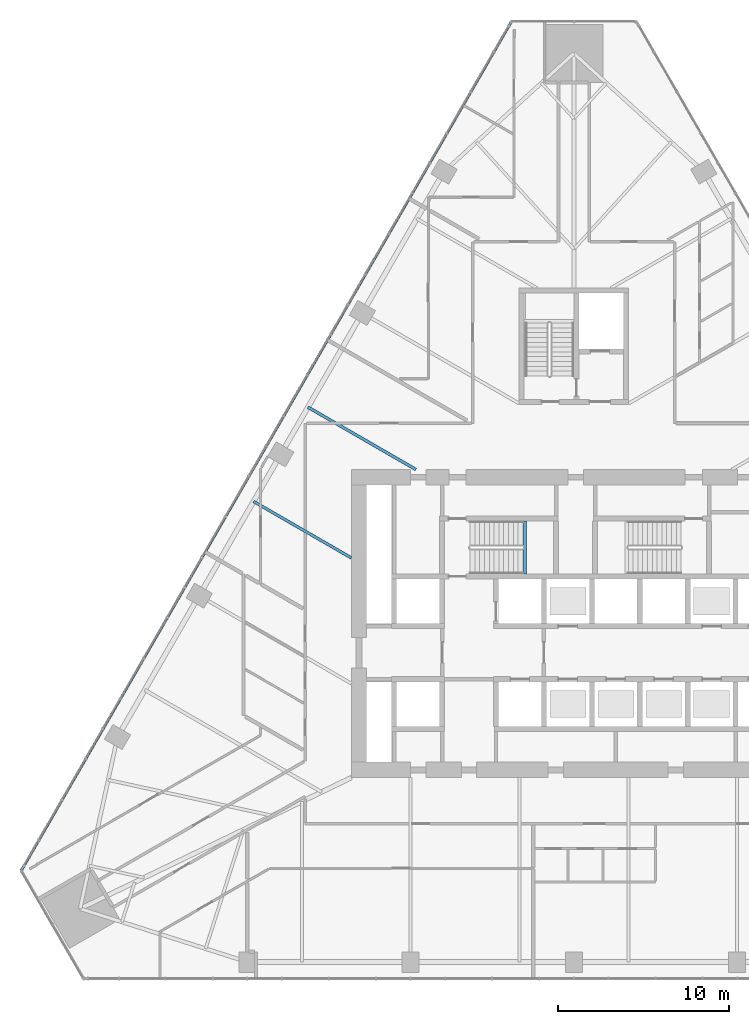
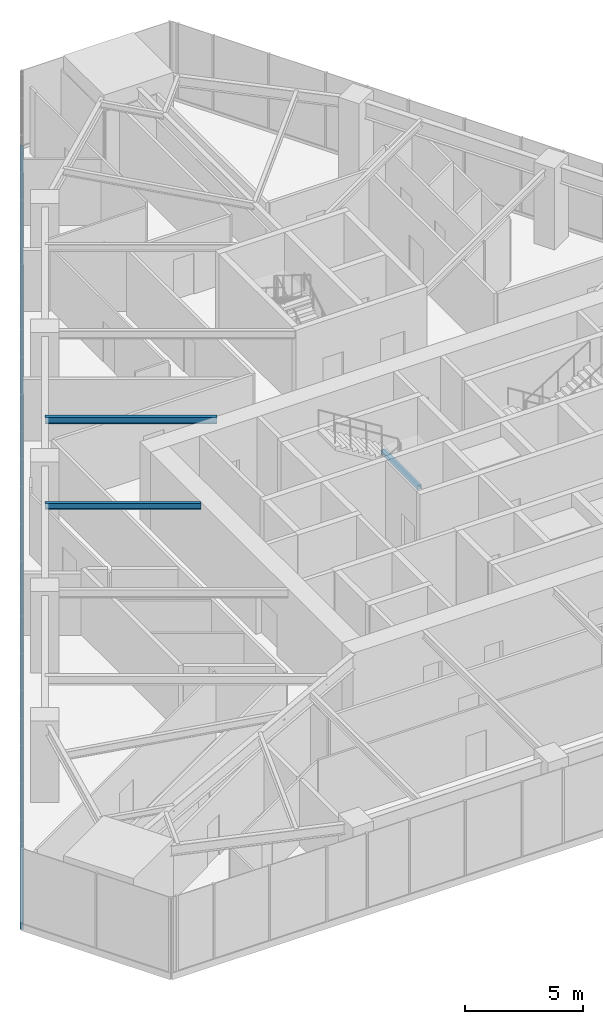
# One storey, part 4 of 25: 3 beams, 1 member, 1 element without a shape of its own.
"""IFC4 building model written with IfcOpenShell, lengths in metres."""

from ifc_helpers import new_model, si_unit, direction, frame, origin, origin_2d, place, context, subcontext, project, spatial, rectangle, i_section, extrude, material, layer, layer_set, material_profile, profile_set, type_object, element, aggregate, save


model = new_model("IFC4")

# Units and contexts
model_context = context("Model", 3, precision=1e-05, world=origin(), true_north=direction((0.0, 1.0)))
body_context = subcontext(model_context, "Body", "Model", "MODEL_VIEW")
ifc_project = project(units=[si_unit("LENGTHUNIT", "METRE"), si_unit("AREAUNIT", "SQUARE_METRE"), si_unit("VOLUMEUNIT", "CUBIC_METRE"), si_unit("PLANEANGLEUNIT", "RADIAN"), si_unit("MASSUNIT", "GRAM", prefix="KILO")], contexts=[model_context])

# Site, building, storey
site_placement = place(None, origin())
site = spatial("IfcSite", under=ifc_project, at=site_placement, CompositionType="ELEMENT")
building_placement = place(site_placement, origin())
building = spatial("IfcBuilding", under=site, at=building_placement, Name="Firuza Gate Tower and Library", CompositionType="ELEMENT")
storey_placement = place(building_placement, frame((0.0, 0.0, 61.0)))
storey = spatial("IfcBuildingStorey", under=building, at=storey_placement, Name="L13", CompositionType="ELEMENT", Elevation=61.0)

# Curtain wall, member
ifc_material_1 = material(Name="Aluminium 6063-T6", Category="aluminium")
ifc_layer = layer(ifc_material_1, 0.14990234375)
ifc_layer_set = layer_set([ifc_layer], Name="Unitised curtain wall, offices")
curtain_wall_type = type_object("IfcCurtainWallType", Name="Unitised curtain wall, offices", PredefinedType="NOTDEFINED", material=ifc_layer_set)
curtain_wall_placement = place(storey_placement, origin())
curtain_wall = element("IfcCurtainWall", 1, at=curtain_wall_placement, inside=storey, type_object=curtain_wall_type, Name="CW1 L13 W face", PredefinedType="NOTDEFINED")
ifc_material_2 = material(Name="Aluminium 6063-T6", Category="aluminium")
ifc_material_profile_1 = material_profile(ifc_material_2, rectangle(XDim=0.14990234375, YDim=0.35009765625, at=origin_2d()))
ifc_profile_set_1 = profile_set([ifc_material_profile_1], Name="Aluminium 6063-T6")
member_type = type_object("IfcMemberType", Name="Curtain wall transom 350x150", PredefinedType="USERDEFINED", material=ifc_profile_set_1)
member_placement = place(storey_placement, frame((71.356689453125, 110.181884765625, -0.02490234375), z_axis=(-0.499999346088, -0.866025781321, 0.0), x_axis=(0.866025781321, -0.499999346088, 0.0)))
member = element("IfcMember", 2, at=member_placement, type_object=member_type, Name="Transom", ObjectType="TRANSOM", PredefinedType="USERDEFINED", context=body_context, shape_type="SweptSolid", body=[
    extrude(rectangle(XDim=0.14990234375, YDim=0.35009765625, at=origin_2d()), origin(), (0.0, 0.0, 1.0), 57.29345703125),
])
aggregate(curtain_wall, [member])

# Beams
ifc_material_3 = material(Name="Concrete C35/45", Category="concrete")
ifc_material_profile_2 = material_profile(ifc_material_3, rectangle(XDim=0.199951171875, YDim=0.199951171875, at=origin_2d()))
ifc_profile_set_2 = profile_set([ifc_material_profile_2], Name="Concrete C35/45")
beam_type_1 = type_object("IfcBeamType", Name="Stair landing bearer 200x200", PredefinedType="BEAM", material=ifc_profile_set_2)
beam_1_placement = place(storey_placement, frame((72.1201171875, 77.89990234375, 1.800048828125), z_axis=(0.0, 1.0, 0.0), x_axis=(-1.0, 0.0, 0.0)))
element("IfcBeam", 3, at=beam_1_placement, inside=storey, type_object=beam_type_1, Name="Landing bearer L13 stair 1", PredefinedType="BEAM", context=body_context, shape_type="SweptSolid", body=[
    extrude(rectangle(XDim=0.199951171875, YDim=0.199951171875, at=origin_2d()), origin(), (0.0, 0.0, 1.0), 3.080078125),
])
ifc_material_4 = material(Name="Steel S355", Category="steel")
ifc_material_profile_3 = material_profile(ifc_material_4, i_section(OverallWidth=0.1650390625, OverallDepth=0.31005859375, WebThickness=0.005859375, FlangeThickness=0.009765625, at=origin_2d()))
ifc_profile_set_3 = profile_set([ifc_material_profile_3], Name="Steel S355")
beam_type_2 = type_object("IfcBeamType", Name="W310x39 Floor beam", PredefinedType="JOIST", material=ifc_profile_set_3)
beam_2_placement = place(storey_placement, frame((56.28857421875, 82.13330078125, 3.844970703125), z_axis=(0.866017904993, -0.500012988063, 0.0), x_axis=(0.500012988063, 0.866017904993, 0.0)))
element("IfcBeam", 4, at=beam_2_placement, inside=storey, type_object=beam_type_2, Name="Floor beam L13 s83", PredefinedType="JOIST", context=body_context, shape_type="SweptSolid", body=[
    extrude(i_section(OverallWidth=0.1650390625, OverallDepth=0.31005859375, WebThickness=0.005859375, FlangeThickness=0.009765625, at=origin_2d()), origin(), (0.0, 0.0, 1.0), 6.594970703125),
])
ifc_material_5 = material(Name="Steel S355", Category="steel")
ifc_material_profile_4 = material_profile(ifc_material_5, i_section(OverallWidth=0.1708984375, OverallDepth=0.35498046875, WebThickness=0.007080078125, FlangeThickness=0.01171875, at=origin_2d()))
ifc_profile_set_4 = profile_set([ifc_material_profile_4], Name="Steel S355")
beam_type_3 = type_object("IfcBeamType", Name="W360x51 Floor beam", PredefinedType="JOIST", material=ifc_profile_set_4)
beam_3_placement = place(storey_placement, frame((59.466796875, 87.637939453125, 3.822509765625), z_axis=(0.866022978719, -0.500004200313, 0.0), x_axis=(0.500004200313, 0.866022978719, 0.0)))
element("IfcBeam", 5, at=beam_3_placement, inside=storey, type_object=beam_type_3, Name="Floor beam L13 s82", PredefinedType="JOIST", context=body_context, shape_type="SweptSolid", body=[
    extrude(i_section(OverallWidth=0.1708984375, OverallDepth=0.35498046875, WebThickness=0.007080078125, FlangeThickness=0.01171875, at=origin_2d()), origin(), (0.0, 0.0, 1.0), 7.27587890625),
])

save(model, "model.ifc")
